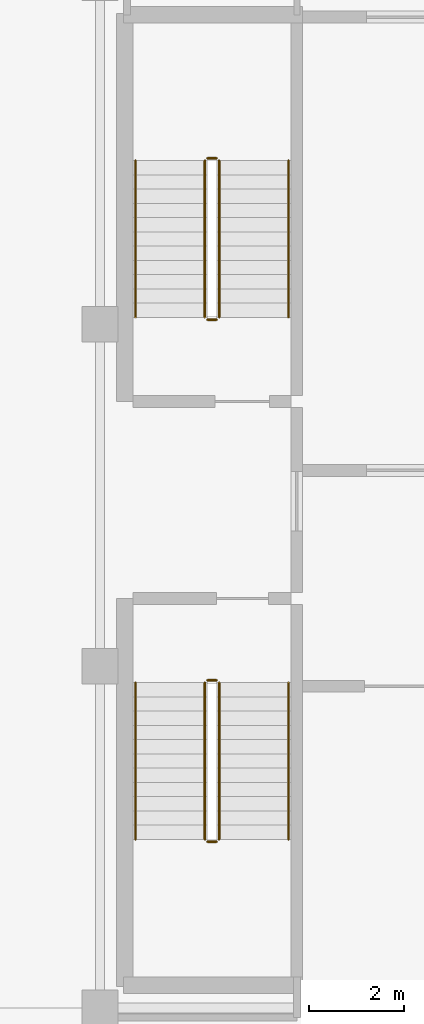
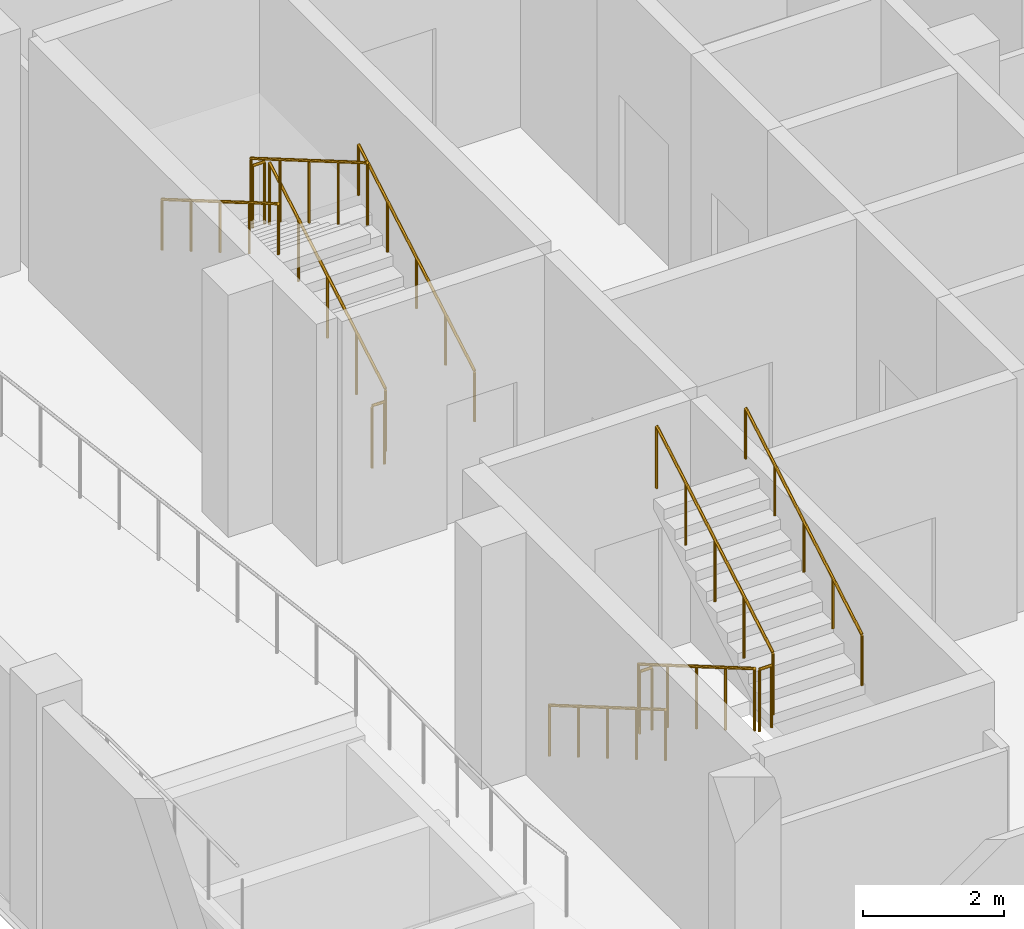
# One storey, part 13 of 15: 12 railings.
"""IFC4 building model written with IfcOpenShell, lengths in metres."""

from ifc_helpers import new_model, si_unit, direction, frame, origin, origin_2d, place, context, subcontext, project, spatial, circle, extrude, material, type_object, element, save


model = new_model("IFC4")

# Units and contexts
model_context = context("Model", 3, precision=1e-05, world=origin(), true_north=direction((0.0, 1.0)))
body_context = subcontext(model_context, "Body", "Model", "MODEL_VIEW")
ifc_project = project(units=[si_unit("LENGTHUNIT", "METRE"), si_unit("AREAUNIT", "SQUARE_METRE"), si_unit("VOLUMEUNIT", "CUBIC_METRE"), si_unit("PLANEANGLEUNIT", "RADIAN"), si_unit("MASSUNIT", "GRAM", prefix="KILO")], contexts=[model_context])

# Site, building, storey
site_placement = place(None, origin())
site = spatial("IfcSite", under=ifc_project, at=site_placement, CompositionType="ELEMENT")
building_placement = place(site_placement, origin())
building = spatial("IfcBuilding", under=site, at=building_placement, Name="Quillay Park Conservatory", CompositionType="ELEMENT")
storey_placement = place(building_placement, frame((0.0, 0.0, -4.199951171875)))
storey = spatial("IfcBuildingStorey", under=building, at=storey_placement, Name="B1", CompositionType="ELEMENT", Elevation=-4.199951171875)

# Railings
ifc_material_1 = material(Name="Steel S355J2H", Category="steel")
railing_type_1 = type_object("IfcRailingType", Name="STAIR WALL HANDRAIL 900", PredefinedType="HANDRAIL", material=ifc_material_1)
railing_1_placement = place(storey_placement, frame((11.820068359375, 92.550048828125, 0.175048828125)))
element("IfcRailing", 1, at=railing_1_placement, inside=storey, type_object=railing_type_1, Name="B1 ST-T1 stair handrail 1", PredefinedType="HANDRAIL", context=body_context, shape_type="SweptSolid", body=[
    extrude(circle(Radius=0.02392578125, at=origin_2d()), frame((0.0, 0.0, 0.8759765625), z_axis=(0.0, 0.863804395585, 0.503827317807), x_axis=(-1.0, 0.0, 0.0)), (0.0, 0.0, 1.0), 3.8203125),
    extrude(circle(Radius=0.02099609375, at=origin_2d()), origin(), (0.0, 0.0, 1.0), 0.851806640625),
    extrude(circle(Radius=0.02099609375, at=origin_2d()), frame((0.0, 0.824951171875, 0.481201171875)), (0.0, 0.0, 1.0), 0.851806640625),
    extrude(circle(Radius=0.02099609375, at=origin_2d()), frame((0.0, 1.64990234375, 0.96240234375)), (0.0, 0.0, 1.0), 0.851806640625),
    extrude(circle(Radius=0.02099609375, at=origin_2d()), frame((0.0, 2.47509765625, 1.443603515625)), (0.0, 0.0, 1.0), 0.851806640625),
    extrude(circle(Radius=0.02099609375, at=origin_2d()), frame((0.0, 3.300048828125, 1.9248046875)), (0.0, 0.0, 1.0), 0.851806640625),
])
railing_2_placement = place(storey_placement, frame((8.60009765625, 95.85009765625, 2.27490234375)))
element("IfcRailing", 2, at=railing_2_placement, inside=storey, type_object=railing_type_1, Name="B1 ST-T1 stair handrail 2", PredefinedType="HANDRAIL", context=body_context, shape_type="SweptSolid", body=[
    extrude(circle(Radius=0.02392578125, at=origin_2d()), frame((0.0, 0.0, 0.8759765625), z_axis=(0.0, -0.863776583165, 0.503874998761), x_axis=(1.0, 0.0, 0.0)), (0.0, 0.0, 1.0), 3.820556640625),
    extrude(circle(Radius=0.02099609375, at=origin_2d()), origin(), (0.0, 0.0, 1.0), 0.851806640625),
    extrude(circle(Radius=0.02099609375, at=origin_2d()), frame((0.0, -0.824951171875, 0.481201171875)), (0.0, 0.0, 1.0), 0.851806640625),
    extrude(circle(Radius=0.02099609375, at=origin_2d()), frame((0.0, -1.64990234375, 0.96240234375)), (0.0, 0.0, 1.0), 0.851806640625),
    extrude(circle(Radius=0.02099609375, at=origin_2d()), frame((0.0, -2.47509765625, 1.44384765625)), (0.0, 0.0, 1.0), 0.851806640625),
    extrude(circle(Radius=0.02099609375, at=origin_2d()), frame((0.0, -3.300048828125, 1.925048828125)), (0.0, 0.0, 1.0), 0.851806640625),
])
railing_3_placement = place(storey_placement, frame((8.60009765625, 84.85009765625, 0.175048828125)))
element("IfcRailing", 3, at=railing_3_placement, inside=storey, type_object=railing_type_1, Name="B1 ST-T2 stair handrail 1", PredefinedType="HANDRAIL", context=body_context, shape_type="SweptSolid", body=[
    extrude(circle(Radius=0.02392578125, at=origin_2d()), frame((0.0, 0.0, 0.8759765625), z_axis=(0.0, -0.863804395585, 0.503827317807), x_axis=(1.0, 0.0, 0.0)), (0.0, 0.0, 1.0), 3.8203125),
    extrude(circle(Radius=0.02099609375, at=origin_2d()), origin(), (0.0, 0.0, 1.0), 0.851806640625),
    extrude(circle(Radius=0.02099609375, at=origin_2d()), frame((0.0, -0.824951171875, 0.481201171875)), (0.0, 0.0, 1.0), 0.851806640625),
    extrude(circle(Radius=0.02099609375, at=origin_2d()), frame((0.0, -1.64990234375, 0.96240234375)), (0.0, 0.0, 1.0), 0.851806640625),
    extrude(circle(Radius=0.02099609375, at=origin_2d()), frame((0.0, -2.47509765625, 1.443603515625)), (0.0, 0.0, 1.0), 0.851806640625),
    extrude(circle(Radius=0.02099609375, at=origin_2d()), frame((0.0, -3.300048828125, 1.9248046875)), (0.0, 0.0, 1.0), 0.851806640625),
])
railing_4_placement = place(storey_placement, frame((11.820068359375, 81.550048828125, 2.27490234375)))
element("IfcRailing", 4, at=railing_4_placement, inside=storey, type_object=railing_type_1, Name="B1 ST-T2 stair handrail 2", PredefinedType="HANDRAIL", context=body_context, shape_type="SweptSolid", body=[
    extrude(circle(Radius=0.02392578125, at=origin_2d()), frame((0.0, 0.0, 0.8759765625), z_axis=(0.0, 0.863776583165, 0.503874998761), x_axis=(-1.0, 0.0, 0.0)), (0.0, 0.0, 1.0), 3.820556640625),
    extrude(circle(Radius=0.02099609375, at=origin_2d()), origin(), (0.0, 0.0, 1.0), 0.851806640625),
    extrude(circle(Radius=0.02099609375, at=origin_2d()), frame((0.0, 0.824951171875, 0.481201171875)), (0.0, 0.0, 1.0), 0.851806640625),
    extrude(circle(Radius=0.02099609375, at=origin_2d()), frame((0.0, 1.64990234375, 0.96240234375)), (0.0, 0.0, 1.0), 0.851806640625),
    extrude(circle(Radius=0.02099609375, at=origin_2d()), frame((0.0, 2.47509765625, 1.44384765625)), (0.0, 0.0, 1.0), 0.851806640625),
    extrude(circle(Radius=0.02099609375, at=origin_2d()), frame((0.0, 3.300048828125, 1.925048828125)), (0.0, 0.0, 1.0), 0.851806640625),
])
ifc_material_2 = material(Name="Steel S355J2H", Category="steel")
railing_type_2 = type_object("IfcRailingType", Name="STAIR WELL GUARDRAIL 1100", PredefinedType="GUARDRAIL", material=ifc_material_2)
railing_5_placement = place(storey_placement, frame((10.360107421875, 92.550048828125, 0.175048828125)))
element("IfcRailing", 5, at=railing_5_placement, inside=storey, type_object=railing_type_2, Name="B1 ST-T1 stair guard 1", PredefinedType="GUARDRAIL", context=body_context, shape_type="SweptSolid", body=[
    extrude(circle(Radius=0.02392578125, at=origin_2d()), frame((0.0, 0.0, 1.076171875), z_axis=(0.0, 0.863804395585, 0.503827317807), x_axis=(-1.0, 0.0, 0.0)), (0.0, 0.0, 1.0), 3.8203125),
    extrude(circle(Radius=0.02099609375, at=origin_2d()), origin(), (0.0, 0.0, 1.0), 1.052001953125),
    extrude(circle(Radius=0.02099609375, at=origin_2d()), frame((0.0, 0.824951171875, 0.481201171875)), (0.0, 0.0, 1.0), 1.052001953125),
    extrude(circle(Radius=0.02099609375, at=origin_2d()), frame((0.0, 1.64990234375, 0.96240234375)), (0.0, 0.0, 1.0), 1.052001953125),
    extrude(circle(Radius=0.02099609375, at=origin_2d()), frame((0.0, 2.47509765625, 1.443603515625)), (0.0, 0.0, 1.0), 1.052001953125),
    extrude(circle(Radius=0.02099609375, at=origin_2d()), frame((0.0, 3.300048828125, 1.9248046875)), (0.0, 0.0, 1.0), 1.052001953125),
])
railing_6_placement = place(storey_placement, frame((10.31005859375, 95.89990234375, 2.099853515625)))
element("IfcRailing", 6, at=railing_6_placement, inside=storey, type_object=railing_type_2, Name="B1 ST-T1 stair guard 2", PredefinedType="GUARDRAIL", context=body_context, shape_type="SweptSolid", body=[
    extrude(circle(Radius=0.02392578125, at=origin_2d()), frame((0.0, 0.0, 1.076171875), z_axis=(-1.0, 0.0, 0.0), x_axis=(0.0, -1.0, 0.0)), (0.0, 0.0, 1.0), 0.199951171875),
    extrude(circle(Radius=0.02099609375, at=origin_2d()), origin(), (0.0, 0.0, 1.0), 1.052001953125),
    extrude(circle(Radius=0.02099609375, at=origin_2d()), frame((-0.199951171875, 0.0, 0.0)), (0.0, 0.0, 1.0), 1.052001953125),
])
railing_7_placement = place(storey_placement, frame((10.06005859375, 95.85009765625, 2.27490234375)))
element("IfcRailing", 7, at=railing_7_placement, inside=storey, type_object=railing_type_2, Name="B1 ST-T1 stair guard 3", PredefinedType="GUARDRAIL", context=body_context, shape_type="SweptSolid", body=[
    extrude(circle(Radius=0.02392578125, at=origin_2d()), frame((0.0, 0.0, 1.076171875), z_axis=(0.0, -0.863776583165, 0.503874998761), x_axis=(1.0, 0.0, 0.0)), (0.0, 0.0, 1.0), 3.820556640625),
    extrude(circle(Radius=0.02099609375, at=origin_2d()), origin(), (0.0, 0.0, 1.0), 1.052001953125),
    extrude(circle(Radius=0.02099609375, at=origin_2d()), frame((0.0, -0.824951171875, 0.481201171875)), (0.0, 0.0, 1.0), 1.052001953125),
    extrude(circle(Radius=0.02099609375, at=origin_2d()), frame((0.0, -1.64990234375, 0.96240234375)), (0.0, 0.0, 1.0), 1.052001953125),
    extrude(circle(Radius=0.02099609375, at=origin_2d()), frame((0.0, -2.47509765625, 1.44384765625)), (0.0, 0.0, 1.0), 1.052001953125),
    extrude(circle(Radius=0.02099609375, at=origin_2d()), frame((0.0, -3.300048828125, 1.925048828125)), (0.0, 0.0, 1.0), 1.052001953125),
])
railing_8_placement = place(storey_placement, frame((10.31005859375, 92.5, 0.0)))
element("IfcRailing", 8, at=railing_8_placement, inside=storey, type_object=railing_type_2, Name="B1 ST-T1 stair guard 4", PredefinedType="GUARDRAIL", context=body_context, shape_type="SweptSolid", body=[
    extrude(circle(Radius=0.02392578125, at=origin_2d()), frame((0.0, 0.0, 1.076171875), z_axis=(-1.0, 0.0, 0.0), x_axis=(0.0, -1.0, 0.0)), (0.0, 0.0, 1.0), 0.199951171875),
    extrude(circle(Radius=0.02099609375, at=origin_2d()), origin(), (0.0, 0.0, 1.0), 1.052001953125),
    extrude(circle(Radius=0.02099609375, at=origin_2d()), frame((-0.199951171875, 0.0, 0.0)), (0.0, 0.0, 1.0), 1.052001953125),
])
railing_9_placement = place(storey_placement, frame((10.06005859375, 84.85009765625, 0.175048828125)))
element("IfcRailing", 9, at=railing_9_placement, inside=storey, type_object=railing_type_2, Name="B1 ST-T2 stair guard 1", PredefinedType="GUARDRAIL", context=body_context, shape_type="SweptSolid", body=[
    extrude(circle(Radius=0.02392578125, at=origin_2d()), frame((0.0, 0.0, 1.076171875), z_axis=(0.0, -0.863804395585, 0.503827317807), x_axis=(1.0, 0.0, 0.0)), (0.0, 0.0, 1.0), 3.8203125),
    extrude(circle(Radius=0.02099609375, at=origin_2d()), origin(), (0.0, 0.0, 1.0), 1.052001953125),
    extrude(circle(Radius=0.02099609375, at=origin_2d()), frame((0.0, -0.824951171875, 0.481201171875)), (0.0, 0.0, 1.0), 1.052001953125),
    extrude(circle(Radius=0.02099609375, at=origin_2d()), frame((0.0, -1.64990234375, 0.96240234375)), (0.0, 0.0, 1.0), 1.052001953125),
    extrude(circle(Radius=0.02099609375, at=origin_2d()), frame((0.0, -2.47509765625, 1.443603515625)), (0.0, 0.0, 1.0), 1.052001953125),
    extrude(circle(Radius=0.02099609375, at=origin_2d()), frame((0.0, -3.300048828125, 1.9248046875)), (0.0, 0.0, 1.0), 1.052001953125),
])
railing_10_placement = place(storey_placement, frame((10.110107421875, 81.5, 2.099853515625)))
element("IfcRailing", 10, at=railing_10_placement, inside=storey, type_object=railing_type_2, Name="B1 ST-T2 stair guard 2", PredefinedType="GUARDRAIL", context=body_context, shape_type="SweptSolid", body=[
    extrude(circle(Radius=0.02392578125, at=origin_2d()), frame((0.0, 0.0, 1.076171875), z_axis=(1.0, 0.0, 0.0), x_axis=(0.0, 1.0, 0.0)), (0.0, 0.0, 1.0), 0.199951171875),
    extrude(circle(Radius=0.02099609375, at=origin_2d()), origin(), (0.0, 0.0, 1.0), 1.052001953125),
    extrude(circle(Radius=0.02099609375, at=origin_2d()), frame((0.199951171875, 0.0, 0.0)), (0.0, 0.0, 1.0), 1.052001953125),
])
railing_11_placement = place(storey_placement, frame((10.360107421875, 81.550048828125, 2.27490234375)))
element("IfcRailing", 11, at=railing_11_placement, inside=storey, type_object=railing_type_2, Name="B1 ST-T2 stair guard 3", PredefinedType="GUARDRAIL", context=body_context, shape_type="SweptSolid", body=[
    extrude(circle(Radius=0.02392578125, at=origin_2d()), frame((0.0, 0.0, 1.076171875), z_axis=(0.0, 0.863776583165, 0.503874998761), x_axis=(-1.0, 0.0, 0.0)), (0.0, 0.0, 1.0), 3.820556640625),
    extrude(circle(Radius=0.02099609375, at=origin_2d()), origin(), (0.0, 0.0, 1.0), 1.052001953125),
    extrude(circle(Radius=0.02099609375, at=origin_2d()), frame((0.0, 0.824951171875, 0.481201171875)), (0.0, 0.0, 1.0), 1.052001953125),
    extrude(circle(Radius=0.02099609375, at=origin_2d()), frame((0.0, 1.64990234375, 0.96240234375)), (0.0, 0.0, 1.0), 1.052001953125),
    extrude(circle(Radius=0.02099609375, at=origin_2d()), frame((0.0, 2.47509765625, 1.44384765625)), (0.0, 0.0, 1.0), 1.052001953125),
    extrude(circle(Radius=0.02099609375, at=origin_2d()), frame((0.0, 3.300048828125, 1.925048828125)), (0.0, 0.0, 1.0), 1.052001953125),
])
railing_12_placement = place(storey_placement, frame((10.110107421875, 84.89990234375, 0.0)))
element("IfcRailing", 12, at=railing_12_placement, inside=storey, type_object=railing_type_2, Name="B1 ST-T2 stair guard 4", PredefinedType="GUARDRAIL", context=body_context, shape_type="SweptSolid", body=[
    extrude(circle(Radius=0.02392578125, at=origin_2d()), frame((0.0, 0.0, 1.076171875), z_axis=(1.0, 0.0, 0.0), x_axis=(0.0, 1.0, 0.0)), (0.0, 0.0, 1.0), 0.199951171875),
    extrude(circle(Radius=0.02099609375, at=origin_2d()), origin(), (0.0, 0.0, 1.0), 1.052001953125),
    extrude(circle(Radius=0.02099609375, at=origin_2d()), frame((0.199951171875, 0.0, 0.0)), (0.0, 0.0, 1.0), 1.052001953125),
])

save(model, "model.ifc")
